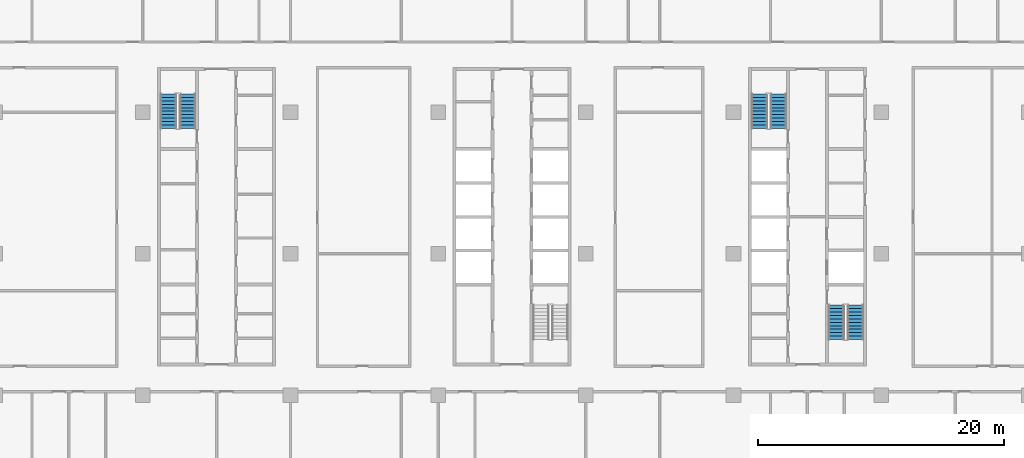
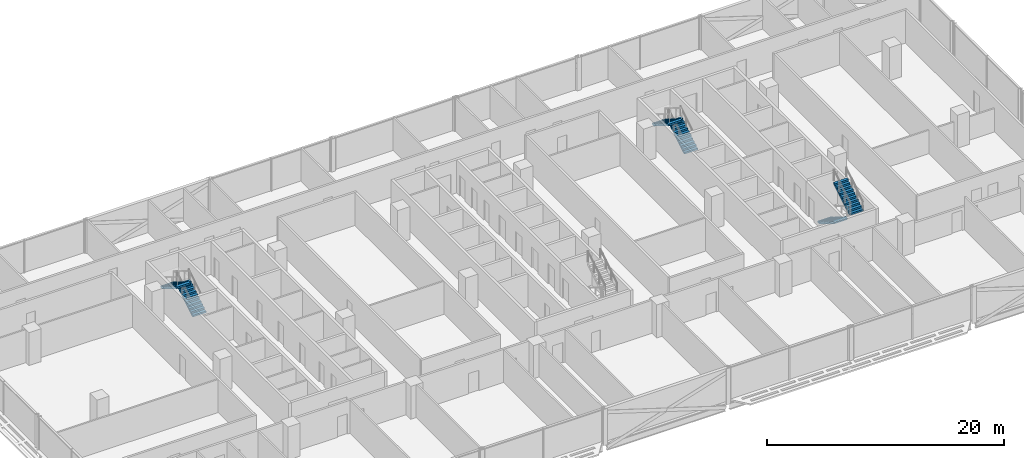
# One storey, part 17 of 28: 6 stair flights, 3 elements without a shape of their own.
"""IFC4 building model written with IfcOpenShell, lengths in metres."""

from ifc_helpers import new_model, si_unit, direction, frame, origin, place, context, subcontext, project, spatial, polyline, outline, extrude, material, type_object, element, aggregate, save


model = new_model("IFC4")

# Units and contexts
model_context = context("Model", 3, precision=1e-05, world=origin(), true_north=direction((0.0, 1.0)))
body_context = subcontext(model_context, "Body", "Model", "MODEL_VIEW")
ifc_project = project(units=[si_unit("LENGTHUNIT", "METRE"), si_unit("AREAUNIT", "SQUARE_METRE"), si_unit("VOLUMEUNIT", "CUBIC_METRE"), si_unit("PLANEANGLEUNIT", "RADIAN"), si_unit("MASSUNIT", "GRAM", prefix="KILO")], contexts=[model_context])

# Site, building, storey
site_placement = place(None, origin())
site = spatial("IfcSite", under=ifc_project, at=site_placement, CompositionType="ELEMENT")
building_placement = place(site_placement, origin())
building = spatial("IfcBuilding", under=site, at=building_placement, Name="Mahtab Terrace Research Tower", CompositionType="ELEMENT")
storey_placement = place(building_placement, frame((0.0, 0.0, 185.800048828125)))
storey = spatial("IfcBuildingStorey", under=building, at=storey_placement, Name="L44", CompositionType="ELEMENT", Elevation=185.800048828125)

# Stair, stair flights
ifc_material_1 = material(Name="Exit stair half-turn")
stair_type = type_object("IfcStairType", Name="Exit stair half-turn", PredefinedType="HALF_TURN_STAIR", material=ifc_material_1)
stair_1_placement = place(storey_placement, origin())
stair_1 = element("IfcStair", 1, at=stair_1_placement, inside=storey, type_object=stair_type, Name="L44 Protected exit stair ST1", PredefinedType="HALF_TURN_STAIR")
ifc_material_2 = material(Name="Concrete C40/50", Category="concrete")
stair_flight_type = type_object("IfcStairFlightType", Name="Exit stair flight 1300", PredefinedType="STRAIGHT", material=ifc_material_2)
stair_flight_1_placement = place(storey_placement, frame((-26.35009765625, 10.175048828125, 0.0), z_axis=(0.0, 0.0, 1.0), x_axis=(0.0, 1.0, 0.0)))
stair_flight_1 = element("IfcStairFlight", 2, at=stair_flight_1_placement, type_object=stair_flight_type, Name="ST1 flight 1", NumberOfRisers=11, NumberOfTreads=10, PredefinedType="STRAIGHT", RiserHeight=0.172727273, TreadLength=0.28, context=body_context, shape_type="SweptSolid", body=[
    extrude(outline(polyline([(0.0, 0.0), (0.0, 0.172607421875), (0.280029296875, 0.172607421875), (0.280029296875, 0.345458984375), (0.56005859375, 0.345458984375), (0.56005859375, 0.51806640625), (0.840087890625, 0.51806640625), (0.840087890625, 0.69091796875), (1.1201171875, 0.69091796875), (1.1201171875, 0.863525390625), (1.39990234375, 0.863525390625), (1.39990234375, 1.036376953125), (1.679931640625, 1.036376953125), (1.679931640625, 1.208984375), (1.9599609375, 1.208984375), (1.9599609375, 1.3818359375), (2.239990234375, 1.3818359375), (2.239990234375, 1.554443359375), (2.52001953125, 1.554443359375), (2.52001953125, 1.727294921875), (2.800048828125, 1.727294921875), (2.800048828125, 1.89990234375), (2.800048828125, 1.551025390625), (0.285400390625, 0.0), (0.0, 0.0)])), frame((0.0, 0.64990234375, 0.0), z_axis=(0.0, -1.0, 0.0), x_axis=(1.0, 0.0, 0.0)), (0.0, 0.0, 1.0), 1.300048828125),
])
stair_flight_2_placement = place(storey_placement, frame((-27.89990234375, 12.97509765625, 1.89990234375), z_axis=(0.0, 0.0, 1.0), x_axis=(0.0, -1.0, 0.0)))
stair_flight_2 = element("IfcStairFlight", 3, at=stair_flight_2_placement, type_object=stair_flight_type, Name="ST1 flight 2", NumberOfRisers=11, NumberOfTreads=10, PredefinedType="STRAIGHT", RiserHeight=0.172727273, TreadLength=0.28, context=body_context, shape_type="SweptSolid", body=[
    extrude(outline(polyline([(0.0, 0.0), (0.0, 0.172607421875), (0.280029296875, 0.172607421875), (0.280029296875, 0.345458984375), (0.56005859375, 0.345458984375), (0.56005859375, 0.51806640625), (0.840087890625, 0.51806640625), (0.840087890625, 0.69091796875), (1.1201171875, 0.69091796875), (1.1201171875, 0.863525390625), (1.39990234375, 0.863525390625), (1.39990234375, 1.036376953125), (1.679931640625, 1.036376953125), (1.679931640625, 1.208984375), (1.9599609375, 1.208984375), (1.9599609375, 1.3818359375), (2.239990234375, 1.3818359375), (2.239990234375, 1.554443359375), (2.52001953125, 1.554443359375), (2.52001953125, 1.727294921875), (2.800048828125, 1.727294921875), (2.800048828125, 1.89990234375), (2.800048828125, 1.551025390625), (0.285400390625, 0.0), (0.0, 0.0)])), frame((0.0, 0.64990234375, 0.0), z_axis=(0.0, -1.0, 0.0), x_axis=(1.0, 0.0, 0.0)), (0.0, 0.0, 1.0), 1.300048828125),
])
aggregate(stair_1, [stair_flight_1, stair_flight_2])

stair_2_placement = place(storey_placement, origin())
stair_2 = element("IfcStair", 4, at=stair_2_placement, inside=storey, type_object=stair_type, Name="L44 Protected exit stair ST3", PredefinedType="HALF_TURN_STAIR")
stair_flight_3_placement = place(storey_placement, frame((21.64990234375, 10.175048828125, 0.0), z_axis=(0.0, 0.0, 1.0), x_axis=(0.0, 1.0, 0.0)))
stair_flight_3 = element("IfcStairFlight", 5, at=stair_flight_3_placement, type_object=stair_flight_type, Name="ST3 flight 1", NumberOfRisers=11, NumberOfTreads=10, PredefinedType="STRAIGHT", RiserHeight=0.172727273, TreadLength=0.28, context=body_context, shape_type="SweptSolid", body=[
    extrude(outline(polyline([(0.0, 0.0), (0.0, 0.172607421875), (0.280029296875, 0.172607421875), (0.280029296875, 0.345458984375), (0.56005859375, 0.345458984375), (0.56005859375, 0.51806640625), (0.840087890625, 0.51806640625), (0.840087890625, 0.69091796875), (1.1201171875, 0.69091796875), (1.1201171875, 0.863525390625), (1.39990234375, 0.863525390625), (1.39990234375, 1.036376953125), (1.679931640625, 1.036376953125), (1.679931640625, 1.208984375), (1.9599609375, 1.208984375), (1.9599609375, 1.3818359375), (2.239990234375, 1.3818359375), (2.239990234375, 1.554443359375), (2.52001953125, 1.554443359375), (2.52001953125, 1.727294921875), (2.800048828125, 1.727294921875), (2.800048828125, 1.89990234375), (2.800048828125, 1.551025390625), (0.285400390625, 0.0), (0.0, 0.0)])), frame((0.0, 0.64990234375, 0.0), z_axis=(0.0, -1.0, 0.0), x_axis=(1.0, 0.0, 0.0)), (0.0, 0.0, 1.0), 1.300048828125),
])
stair_flight_4_placement = place(storey_placement, frame((20.10009765625, 12.97509765625, 1.89990234375), z_axis=(0.0, 0.0, 1.0), x_axis=(0.0, -1.0, 0.0)))
stair_flight_4 = element("IfcStairFlight", 6, at=stair_flight_4_placement, type_object=stair_flight_type, Name="ST3 flight 2", NumberOfRisers=11, NumberOfTreads=10, PredefinedType="STRAIGHT", RiserHeight=0.172727273, TreadLength=0.28, context=body_context, shape_type="SweptSolid", body=[
    extrude(outline(polyline([(0.0, 0.0), (0.0, 0.172607421875), (0.280029296875, 0.172607421875), (0.280029296875, 0.345458984375), (0.56005859375, 0.345458984375), (0.56005859375, 0.51806640625), (0.840087890625, 0.51806640625), (0.840087890625, 0.69091796875), (1.1201171875, 0.69091796875), (1.1201171875, 0.863525390625), (1.39990234375, 0.863525390625), (1.39990234375, 1.036376953125), (1.679931640625, 1.036376953125), (1.679931640625, 1.208984375), (1.9599609375, 1.208984375), (1.9599609375, 1.3818359375), (2.239990234375, 1.3818359375), (2.239990234375, 1.554443359375), (2.52001953125, 1.554443359375), (2.52001953125, 1.727294921875), (2.800048828125, 1.727294921875), (2.800048828125, 1.89990234375), (2.800048828125, 1.551025390625), (0.285400390625, 0.0), (0.0, 0.0)])), frame((0.0, 0.64990234375, 0.0), z_axis=(0.0, -1.0, 0.0), x_axis=(1.0, 0.0, 0.0)), (0.0, 0.0, 1.0), 1.300048828125),
])
aggregate(stair_2, [stair_flight_3, stair_flight_4])

stair_3_placement = place(storey_placement, origin())
stair_3 = element("IfcStair", 7, at=stair_3_placement, inside=storey, type_object=stair_type, Name="L44 Protected exit stair ST4", PredefinedType="HALF_TURN_STAIR")
stair_flight_5_placement = place(storey_placement, frame((26.35009765625, -4.175048828125, 0.0), z_axis=(0.0, 0.0, 1.0), x_axis=(0.0, -1.0, 0.0)))
stair_flight_5 = element("IfcStairFlight", 8, at=stair_flight_5_placement, type_object=stair_flight_type, Name="ST4 flight 1", NumberOfRisers=11, NumberOfTreads=10, PredefinedType="STRAIGHT", RiserHeight=0.172727273, TreadLength=0.28, context=body_context, shape_type="SweptSolid", body=[
    extrude(outline(polyline([(0.0, 0.0), (0.0, 0.172607421875), (0.280029296875, 0.172607421875), (0.280029296875, 0.345458984375), (0.56005859375, 0.345458984375), (0.56005859375, 0.51806640625), (0.840087890625, 0.51806640625), (0.840087890625, 0.69091796875), (1.1201171875, 0.69091796875), (1.1201171875, 0.863525390625), (1.39990234375, 0.863525390625), (1.39990234375, 1.036376953125), (1.679931640625, 1.036376953125), (1.679931640625, 1.208984375), (1.9599609375, 1.208984375), (1.9599609375, 1.3818359375), (2.239990234375, 1.3818359375), (2.239990234375, 1.554443359375), (2.52001953125, 1.554443359375), (2.52001953125, 1.727294921875), (2.800048828125, 1.727294921875), (2.800048828125, 1.89990234375), (2.800048828125, 1.551025390625), (0.285400390625, 0.0), (0.0, 0.0)])), frame((0.0, 0.64990234375, 0.0), z_axis=(0.0, -1.0, 0.0), x_axis=(1.0, 0.0, 0.0)), (0.0, 0.0, 1.0), 1.300048828125),
])
stair_flight_6_placement = place(storey_placement, frame((27.89990234375, -6.97509765625, 1.89990234375), z_axis=(0.0, 0.0, 1.0), x_axis=(0.0, 1.0, 0.0)))
stair_flight_6 = element("IfcStairFlight", 9, at=stair_flight_6_placement, type_object=stair_flight_type, Name="ST4 flight 2", NumberOfRisers=11, NumberOfTreads=10, PredefinedType="STRAIGHT", RiserHeight=0.172727273, TreadLength=0.28, context=body_context, shape_type="SweptSolid", body=[
    extrude(outline(polyline([(0.0, 0.0), (0.0, 0.172607421875), (0.280029296875, 0.172607421875), (0.280029296875, 0.345458984375), (0.56005859375, 0.345458984375), (0.56005859375, 0.51806640625), (0.840087890625, 0.51806640625), (0.840087890625, 0.69091796875), (1.1201171875, 0.69091796875), (1.1201171875, 0.863525390625), (1.39990234375, 0.863525390625), (1.39990234375, 1.036376953125), (1.679931640625, 1.036376953125), (1.679931640625, 1.208984375), (1.9599609375, 1.208984375), (1.9599609375, 1.3818359375), (2.239990234375, 1.3818359375), (2.239990234375, 1.554443359375), (2.52001953125, 1.554443359375), (2.52001953125, 1.727294921875), (2.800048828125, 1.727294921875), (2.800048828125, 1.89990234375), (2.800048828125, 1.551025390625), (0.285400390625, 0.0), (0.0, 0.0)])), frame((0.0, 0.64990234375, 0.0), z_axis=(0.0, -1.0, 0.0), x_axis=(1.0, 0.0, 0.0)), (0.0, 0.0, 1.0), 1.300048828125),
])
aggregate(stair_3, [stair_flight_5, stair_flight_6])

save(model, "model.ifc")
